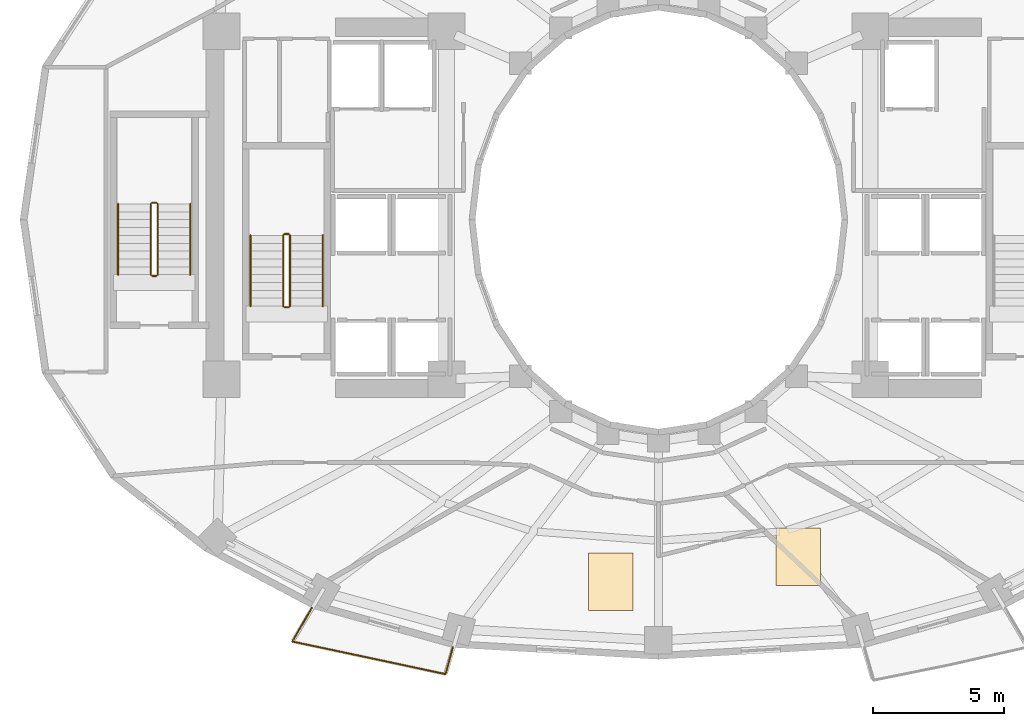
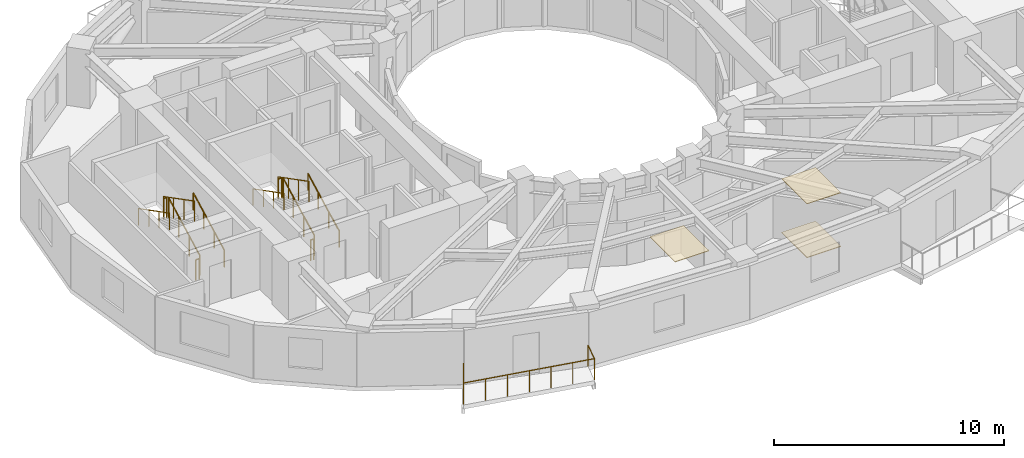
# One storey, part 12 of 14: 13 railings, 3 coverings.
"""IFC4 building model written with IfcOpenShell, lengths in metres."""

from ifc_helpers import new_model, si_unit, direction, frame, origin, origin_2d, place, context, subcontext, project, spatial, polyline, circle, outline, extrude, material, layer, layer_set, type_object, element, save


model = new_model("IFC4")

# Units and contexts
model_context = context("Model", 3, precision=1e-05, world=origin(), true_north=direction((0.0, 1.0)))
body_context = subcontext(model_context, "Body", "Model", "MODEL_VIEW")
ifc_project = project(units=[si_unit("LENGTHUNIT", "METRE"), si_unit("AREAUNIT", "SQUARE_METRE"), si_unit("VOLUMEUNIT", "CUBIC_METRE"), si_unit("PLANEANGLEUNIT", "RADIAN"), si_unit("MASSUNIT", "GRAM", prefix="KILO")], contexts=[model_context])

# Site, building, storey
site_placement = place(None, origin())
site = spatial("IfcSite", under=ifc_project, at=site_placement, CompositionType="ELEMENT")
building_placement = place(site_placement, origin())
building = spatial("IfcBuilding", under=site, at=building_placement, Name="Solvane Sanctuary Tower", CompositionType="ELEMENT")
storey_placement = place(building_placement, frame((0.0, 0.0, 88.699951171875)))
storey = spatial("IfcBuildingStorey", under=building, at=storey_placement, Name="L26", CompositionType="ELEMENT", Elevation=88.699951171875)

# Coverings
ifc_material_1 = material(Name="Acoustic Gypsum Partition Board")
ifc_layer_1 = layer(ifc_material_1, 0.02490234375, Name="Acoustic Gypsum Partition Board")
ifc_layer_set_1 = layer_set([ifc_layer_1], Name="Acoustic Gypsum Partition Board")
covering_type_1 = type_object("IfcCoveringType", Name="Covering CLG-ACOUST", PredefinedType="CEILING", material=ifc_layer_set_1)
covering_1_placement = place(storey_placement, frame((0.0, 0.0, 2.85009765625)))
element("IfcCovering", 1, at=covering_1_placement, inside=storey, type_object=covering_type_1, Name="L26 Unit Acoustic Ceiling Panel 3", PredefinedType="CEILING", context=body_context, shape_type="SweptSolid", body=[
    extrude(outline(polyline([(29.3291015625, 8.069091796875), (31.029052734375, 8.069091796875), (31.029052734375, 10.26904296875), (29.3291015625, 10.26904296875), (29.3291015625, 8.069091796875)])), origin(), (0.0, 0.0, 1.0), 0.030029296875),
])
covering_2_placement = place(storey_placement, frame((0.0, 0.0, 2.85009765625)))
element("IfcCovering", 2, at=covering_2_placement, inside=storey, type_object=covering_type_1, Name="L26 Unit Acoustic Ceiling Panel 4", PredefinedType="CEILING", context=body_context, shape_type="SweptSolid", body=[
    extrude(outline(polyline([(36.488037109375, 9.011962890625), (38.18798828125, 9.011962890625), (38.18798828125, 11.2119140625), (36.488037109375, 11.2119140625), (36.488037109375, 9.011962890625)])), origin(), (0.0, 0.0, 1.0), 0.030029296875),
])
ifc_material_2 = material(Name="Ceramic Tile Finish")
ifc_layer_2 = layer(ifc_material_2, 0.030029296875, Name="Ceramic Tile Finish")
ifc_layer_set_2 = layer_set([ifc_layer_2], Name="Ceramic Tile Finish")
covering_type_2 = type_object("IfcCoveringType", Name="Covering FLR-TERRAZZO", PredefinedType="FLOORING", material=ifc_layer_set_2)
covering_3_placement = place(storey_placement, origin())
element("IfcCovering", 3, at=covering_3_placement, inside=storey, type_object=covering_type_2, Name="L26 Unit Terrazzo Inlay 4", PredefinedType="FLOORING", context=body_context, shape_type="SweptSolid", body=[
    extrude(outline(polyline([(36.488037109375, 9.011962890625), (38.18798828125, 9.011962890625), (38.18798828125, 11.2119140625), (36.488037109375, 11.2119140625), (36.488037109375, 9.011962890625)])), origin(), (0.0, 0.0, 1.0), 0.03515625),
])

# Railings
ifc_material_3 = material(Name="Architectural Stainless Steel 316", Category="steel")
railing_type_1 = type_object("IfcRailingType", Name="Railing GR-BALC-1150", PredefinedType="BALUSTRADE", material=ifc_material_3)
railing_1_placement = place(storey_placement, frame((18.750732421875, 8.16455078125, 0.0)))
element("IfcRailing", 4, at=railing_1_placement, inside=storey, type_object=railing_type_1, Name="L26 Wave Balcony Balustrade S1", PredefinedType="BALUSTRADE", context=body_context, shape_type="SweptSolid", body=[
    extrude(circle(Radius=0.02392578125, at=origin_2d()), frame((0.0, 0.0, 1.1259765625), z_axis=(-0.500121308272, -0.865955355092, 0.0), x_axis=(0.865955355092, -0.500121308272, 0.0)), (0.0, 0.0, 1.0), 1.483642578125),
    extrude(circle(Radius=0.02392578125, at=origin_2d()), frame((-0.741943359375, -1.28466796875, 1.1259765625), z_axis=(0.978237602587, -0.207487813825, 0.0), x_axis=(0.207487813825, 0.978237602587, 0.0)), (0.0, 0.0, 1.0), 3.022705078125),
    extrude(circle(Radius=0.02392578125, at=origin_2d()), frame((2.215087890625, -1.911865234375, 1.1259765625), z_axis=(0.977921544461, -0.208972373482, 0.0), x_axis=(0.208972373482, 0.977921544461, 0.0)), (0.0, 0.0, 1.0), 2.965087890625),
    extrude(circle(Radius=0.02392578125, at=origin_2d()), frame((5.11474609375, -2.531494140625, 1.1259765625), z_axis=(0.258828577896, 0.965923271934, 0.0), x_axis=(-0.965923271934, 0.258828577896, 0.0)), (0.0, 0.0, 1.0), 1.055419921875),
    extrude(circle(Radius=0.02099609375, at=origin_2d()), origin(), (0.0, 0.0, 1.0), 1.101806640625),
    extrude(circle(Radius=0.02099609375, at=origin_2d()), frame((-0.37109375, -0.642333984375, 0.0)), (0.0, 0.0, 1.0), 1.101806640625),
    extrude(circle(Radius=0.02099609375, at=origin_2d()), frame((-0.741943359375, -1.28466796875, 0.0)), (0.0, 0.0, 1.0), 1.101806640625),
    extrude(circle(Radius=0.02099609375, at=origin_2d()), frame((0.24365234375, -1.49365234375, 0.0)), (0.0, 0.0, 1.0), 1.101806640625),
    extrude(circle(Radius=0.02099609375, at=origin_2d()), frame((1.2294921875, -1.702880859375, 0.0)), (0.0, 0.0, 1.0), 1.101806640625),
    extrude(circle(Radius=0.02099609375, at=origin_2d()), frame((2.215087890625, -1.911865234375, 0.0)), (0.0, 0.0, 1.0), 1.101806640625),
    extrude(circle(Radius=0.02099609375, at=origin_2d()), frame((3.181640625, -2.118408203125, 0.0)), (0.0, 0.0, 1.0), 1.101806640625),
    extrude(circle(Radius=0.02099609375, at=origin_2d()), frame((4.148193359375, -2.324951171875, 0.0)), (0.0, 0.0, 1.0), 1.101806640625),
    extrude(circle(Radius=0.02099609375, at=origin_2d()), frame((5.11474609375, -2.531494140625, 0.0)), (0.0, 0.0, 1.0), 1.101806640625),
    extrude(circle(Radius=0.02099609375, at=origin_2d()), frame((5.387939453125, -1.511962890625, 0.0)), (0.0, 0.0, 1.0), 1.101806640625),
])
railing_2_placement = place(storey_placement, frame((17.919921875, 19.699951171875, 0.155029296875)))
element("IfcRailing", 5, at=railing_2_placement, inside=storey, type_object=railing_type_1, Name="L26 ST-1 stair guard 1", PredefinedType="BALUSTRADE", context=body_context, shape_type="SweptSolid", body=[
    extrude(circle(Radius=0.02392578125, at=origin_2d()), frame((0.0, 0.0, 1.076171875), z_axis=(0.0, 0.888419900624, 0.459031676658), x_axis=(-1.0, 0.0, 0.0)), (0.0, 0.0, 1.0), 3.0390625),
    extrude(circle(Radius=0.02099609375, at=origin_2d()), origin(), (0.0, 0.0, 1.0), 1.052001953125),
    extrude(circle(Radius=0.02099609375, at=origin_2d()), frame((0.0, 0.89990234375, 0.465087890625)), (0.0, 0.0, 1.0), 1.052001953125),
    extrude(circle(Radius=0.02099609375, at=origin_2d()), frame((0.0, 1.800048828125, 0.929931640625)), (0.0, 0.0, 1.0), 1.052001953125),
    extrude(circle(Radius=0.02099609375, at=origin_2d()), frame((0.0, 2.699951171875, 1.39501953125)), (0.0, 0.0, 1.0), 1.052001953125),
])
railing_3_placement = place(storey_placement, frame((17.8701171875, 22.449951171875, 1.550048828125)))
element("IfcRailing", 6, at=railing_3_placement, inside=storey, type_object=railing_type_1, Name="L26 ST-1 stair guard 2", PredefinedType="BALUSTRADE", context=body_context, shape_type="SweptSolid", body=[
    extrude(circle(Radius=0.02392578125, at=origin_2d()), frame((0.0, 0.0, 1.076171875), z_axis=(-1.0, 0.0, 0.0), x_axis=(0.0, -1.0, 0.0)), (0.0, 0.0, 1.0), 0.16015625),
    extrude(circle(Radius=0.02099609375, at=origin_2d()), origin(), (0.0, 0.0, 1.0), 1.052001953125),
    extrude(circle(Radius=0.02099609375, at=origin_2d()), frame((-0.16015625, 0.0, 0.0)), (0.0, 0.0, 1.0), 1.052001953125),
])
railing_4_placement = place(storey_placement, frame((17.659912109375, 22.39990234375, 1.705078125)))
element("IfcRailing", 7, at=railing_4_placement, inside=storey, type_object=railing_type_1, Name="L26 ST-1 stair guard 3", PredefinedType="BALUSTRADE", context=body_context, shape_type="SweptSolid", body=[
    extrude(circle(Radius=0.02392578125, at=origin_2d()), frame((0.0, 0.0, 1.076171875), z_axis=(0.0, -0.888419900624, 0.459031676658), x_axis=(1.0, 0.0, 0.0)), (0.0, 0.0, 1.0), 3.0390625),
    extrude(circle(Radius=0.02099609375, at=origin_2d()), origin(), (0.0, 0.0, 1.0), 1.052001953125),
    extrude(circle(Radius=0.02099609375, at=origin_2d()), frame((0.0, -0.89990234375, 0.465087890625)), (0.0, 0.0, 1.0), 1.052001953125),
    extrude(circle(Radius=0.02099609375, at=origin_2d()), frame((0.0, -1.800048828125, 0.929931640625)), (0.0, 0.0, 1.0), 1.052001953125),
    extrude(circle(Radius=0.02099609375, at=origin_2d()), frame((0.0, -2.699951171875, 1.39501953125)), (0.0, 0.0, 1.0), 1.052001953125),
])
railing_5_placement = place(storey_placement, frame((17.8701171875, 19.64990234375, 0.0)))
element("IfcRailing", 8, at=railing_5_placement, inside=storey, type_object=railing_type_1, Name="L26 ST-1 stair guard 4", PredefinedType="BALUSTRADE", context=body_context, shape_type="SweptSolid", body=[
    extrude(circle(Radius=0.02392578125, at=origin_2d()), frame((0.0, 0.0, 1.076171875), z_axis=(-1.0, 0.0, 0.0), x_axis=(0.0, -1.0, 0.0)), (0.0, 0.0, 1.0), 0.16015625),
    extrude(circle(Radius=0.02099609375, at=origin_2d()), origin(), (0.0, 0.0, 1.0), 1.052001953125),
    extrude(circle(Radius=0.02099609375, at=origin_2d()), frame((-0.16015625, 0.0, 0.0)), (0.0, 0.0, 1.0), 1.052001953125),
])
railing_6_placement = place(storey_placement, frame((12.860107421875, 20.89990234375, 0.155029296875)))
element("IfcRailing", 9, at=railing_6_placement, inside=storey, type_object=railing_type_1, Name="L26 ST-3 stair guard 1", PredefinedType="BALUSTRADE", context=body_context, shape_type="SweptSolid", body=[
    extrude(circle(Radius=0.02392578125, at=origin_2d()), frame((0.0, 0.0, 1.076171875), z_axis=(0.0, 0.888436826113, 0.458998917216), x_axis=(-1.0, 0.0, 0.0)), (0.0, 0.0, 1.0), 3.039306640625),
    extrude(circle(Radius=0.02099609375, at=origin_2d()), origin(), (0.0, 0.0, 1.0), 1.052001953125),
    extrude(circle(Radius=0.02099609375, at=origin_2d()), frame((0.0, 0.900146484375, 0.465087890625)), (0.0, 0.0, 1.0), 1.052001953125),
    extrude(circle(Radius=0.02099609375, at=origin_2d()), frame((0.0, 1.800048828125, 0.929931640625)), (0.0, 0.0, 1.0), 1.052001953125),
    extrude(circle(Radius=0.02099609375, at=origin_2d()), frame((0.0, 2.7001953125, 1.39501953125)), (0.0, 0.0, 1.0), 1.052001953125),
])
railing_7_placement = place(storey_placement, frame((12.81005859375, 23.64990234375, 1.550048828125)))
element("IfcRailing", 10, at=railing_7_placement, inside=storey, type_object=railing_type_1, Name="L26 ST-3 stair guard 2", PredefinedType="BALUSTRADE", context=body_context, shape_type="SweptSolid", body=[
    extrude(circle(Radius=0.02392578125, at=origin_2d()), frame((0.0, 0.0, 1.076171875), z_axis=(-1.0, 0.0, 0.0), x_axis=(0.0, -1.0, 0.0)), (0.0, 0.0, 1.0), 0.16015625),
    extrude(circle(Radius=0.02099609375, at=origin_2d()), origin(), (0.0, 0.0, 1.0), 1.052001953125),
    extrude(circle(Radius=0.02099609375, at=origin_2d()), frame((-0.16015625, 0.0, 0.0)), (0.0, 0.0, 1.0), 1.052001953125),
])
railing_8_placement = place(storey_placement, frame((12.60009765625, 23.60009765625, 1.705078125)))
element("IfcRailing", 11, at=railing_8_placement, inside=storey, type_object=railing_type_1, Name="L26 ST-3 stair guard 3", PredefinedType="BALUSTRADE", context=body_context, shape_type="SweptSolid", body=[
    extrude(circle(Radius=0.02392578125, at=origin_2d()), frame((0.0, 0.0, 1.076171875), z_axis=(0.0, -0.888436826113, 0.458998917216), x_axis=(1.0, 0.0, 0.0)), (0.0, 0.0, 1.0), 3.039306640625),
    extrude(circle(Radius=0.02099609375, at=origin_2d()), origin(), (0.0, 0.0, 1.0), 1.052001953125),
    extrude(circle(Radius=0.02099609375, at=origin_2d()), frame((0.0, -0.900146484375, 0.465087890625)), (0.0, 0.0, 1.0), 1.052001953125),
    extrude(circle(Radius=0.02099609375, at=origin_2d()), frame((0.0, -1.800048828125, 0.929931640625)), (0.0, 0.0, 1.0), 1.052001953125),
    extrude(circle(Radius=0.02099609375, at=origin_2d()), frame((0.0, -2.7001953125, 1.39501953125)), (0.0, 0.0, 1.0), 1.052001953125),
])
railing_9_placement = place(storey_placement, frame((12.81005859375, 20.85009765625, 0.0)))
element("IfcRailing", 12, at=railing_9_placement, inside=storey, type_object=railing_type_1, Name="L26 ST-3 stair guard 4", PredefinedType="BALUSTRADE", context=body_context, shape_type="SweptSolid", body=[
    extrude(circle(Radius=0.02392578125, at=origin_2d()), frame((0.0, 0.0, 1.076171875), z_axis=(-1.0, 0.0, 0.0), x_axis=(0.0, -1.0, 0.0)), (0.0, 0.0, 1.0), 0.16015625),
    extrude(circle(Radius=0.02099609375, at=origin_2d()), origin(), (0.0, 0.0, 1.0), 1.052001953125),
    extrude(circle(Radius=0.02099609375, at=origin_2d()), frame((-0.16015625, 0.0, 0.0)), (0.0, 0.0, 1.0), 1.052001953125),
])
railing_type_2 = type_object("IfcRailingType", Name="Railing HR-STAIR-920", PredefinedType="HANDRAIL", material=ifc_material_3)
railing_10_placement = place(storey_placement, frame((19.169921875, 19.699951171875, 0.155029296875)))
element("IfcRailing", 13, at=railing_10_placement, inside=storey, type_object=railing_type_2, Name="L26 ST-1 stair handrail 1", PredefinedType="HANDRAIL", context=body_context, shape_type="SweptSolid", body=[
    extrude(circle(Radius=0.02392578125, at=origin_2d()), frame((0.0, 0.0, 0.8759765625), z_axis=(0.0, 0.888419900624, 0.459031676658), x_axis=(-1.0, 0.0, 0.0)), (0.0, 0.0, 1.0), 3.0390625),
    extrude(circle(Radius=0.02099609375, at=origin_2d()), origin(), (0.0, 0.0, 1.0), 0.851806640625),
    extrude(circle(Radius=0.02099609375, at=origin_2d()), frame((0.0, 0.89990234375, 0.465087890625)), (0.0, 0.0, 1.0), 0.851806640625),
    extrude(circle(Radius=0.02099609375, at=origin_2d()), frame((0.0, 1.800048828125, 0.929931640625)), (0.0, 0.0, 1.0), 0.851806640625),
    extrude(circle(Radius=0.02099609375, at=origin_2d()), frame((0.0, 2.699951171875, 1.39501953125)), (0.0, 0.0, 1.0), 0.851806640625),
])
railing_11_placement = place(storey_placement, frame((16.409912109375, 22.39990234375, 1.705078125)))
element("IfcRailing", 14, at=railing_11_placement, inside=storey, type_object=railing_type_2, Name="L26 ST-1 stair handrail 2", PredefinedType="HANDRAIL", context=body_context, shape_type="SweptSolid", body=[
    extrude(circle(Radius=0.02392578125, at=origin_2d()), frame((0.0, 0.0, 0.8759765625), z_axis=(0.0, -0.888419900624, 0.459031676658), x_axis=(1.0, 0.0, 0.0)), (0.0, 0.0, 1.0), 3.0390625),
    extrude(circle(Radius=0.02099609375, at=origin_2d()), origin(), (0.0, 0.0, 1.0), 0.851806640625),
    extrude(circle(Radius=0.02099609375, at=origin_2d()), frame((0.0, -0.89990234375, 0.465087890625)), (0.0, 0.0, 1.0), 0.851806640625),
    extrude(circle(Radius=0.02099609375, at=origin_2d()), frame((0.0, -1.800048828125, 0.929931640625)), (0.0, 0.0, 1.0), 0.851806640625),
    extrude(circle(Radius=0.02099609375, at=origin_2d()), frame((0.0, -2.699951171875, 1.39501953125)), (0.0, 0.0, 1.0), 0.851806640625),
])
railing_12_placement = place(storey_placement, frame((14.110107421875, 20.89990234375, 0.155029296875)))
element("IfcRailing", 15, at=railing_12_placement, inside=storey, type_object=railing_type_2, Name="L26 ST-3 stair handrail 1", PredefinedType="HANDRAIL", context=body_context, shape_type="SweptSolid", body=[
    extrude(circle(Radius=0.02392578125, at=origin_2d()), frame((0.0, 0.0, 0.8759765625), z_axis=(0.0, 0.888436826113, 0.458998917216), x_axis=(-1.0, 0.0, 0.0)), (0.0, 0.0, 1.0), 3.039306640625),
    extrude(circle(Radius=0.02099609375, at=origin_2d()), origin(), (0.0, 0.0, 1.0), 0.851806640625),
    extrude(circle(Radius=0.02099609375, at=origin_2d()), frame((0.0, 0.900146484375, 0.465087890625)), (0.0, 0.0, 1.0), 0.851806640625),
    extrude(circle(Radius=0.02099609375, at=origin_2d()), frame((0.0, 1.800048828125, 0.929931640625)), (0.0, 0.0, 1.0), 0.851806640625),
    extrude(circle(Radius=0.02099609375, at=origin_2d()), frame((0.0, 2.7001953125, 1.39501953125)), (0.0, 0.0, 1.0), 0.851806640625),
])
railing_13_placement = place(storey_placement, frame((11.35009765625, 23.60009765625, 1.705078125)))
element("IfcRailing", 16, at=railing_13_placement, inside=storey, type_object=railing_type_2, Name="L26 ST-3 stair handrail 2", PredefinedType="HANDRAIL", context=body_context, shape_type="SweptSolid", body=[
    extrude(circle(Radius=0.02392578125, at=origin_2d()), frame((0.0, 0.0, 0.8759765625), z_axis=(0.0, -0.888436826113, 0.458998917216), x_axis=(1.0, 0.0, 0.0)), (0.0, 0.0, 1.0), 3.039306640625),
    extrude(circle(Radius=0.02099609375, at=origin_2d()), origin(), (0.0, 0.0, 1.0), 0.851806640625),
    extrude(circle(Radius=0.02099609375, at=origin_2d()), frame((0.0, -0.900146484375, 0.465087890625)), (0.0, 0.0, 1.0), 0.851806640625),
    extrude(circle(Radius=0.02099609375, at=origin_2d()), frame((0.0, -1.800048828125, 0.929931640625)), (0.0, 0.0, 1.0), 0.851806640625),
    extrude(circle(Radius=0.02099609375, at=origin_2d()), frame((0.0, -2.7001953125, 1.39501953125)), (0.0, 0.0, 1.0), 0.851806640625),
])

save(model, "model.ifc")
